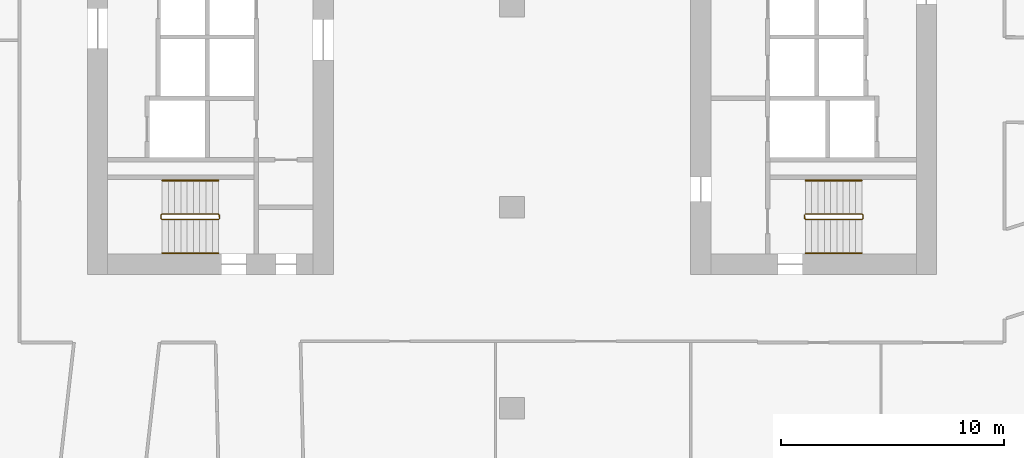
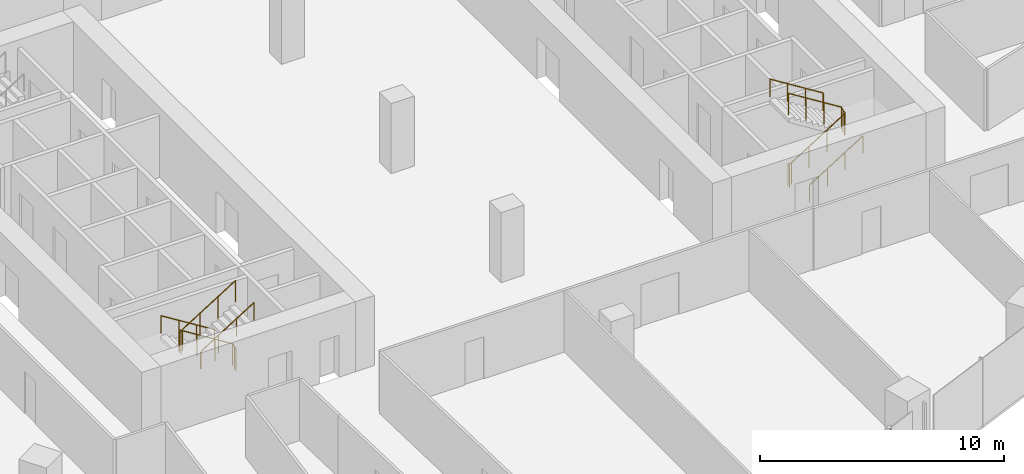
# One storey, part 32 of 34: 6 railings.
"""IFC4 building model written with IfcOpenShell, lengths in metres."""

from ifc_helpers import new_model, si_unit, direction, frame, origin, origin_2d, place, context, subcontext, project, spatial, circle, extrude, material, type_object, element, save


model = new_model("IFC4")

# Units and contexts
model_context = context("Model", 3, precision=1e-05, world=origin(), true_north=direction((0.0, 1.0)))
body_context = subcontext(model_context, "Body", "Model", "MODEL_VIEW")
ifc_project = project(units=[si_unit("LENGTHUNIT", "METRE"), si_unit("AREAUNIT", "SQUARE_METRE"), si_unit("VOLUMEUNIT", "CUBIC_METRE"), si_unit("PLANEANGLEUNIT", "RADIAN"), si_unit("MASSUNIT", "GRAM", prefix="KILO")], contexts=[model_context])

# Site, building, storey
site_placement = place(None, origin())
site = spatial("IfcSite", under=ifc_project, at=site_placement, CompositionType="ELEMENT")
building_placement = place(site_placement, origin())
building = spatial("IfcBuilding", under=site, at=building_placement, Name="Orlundy Tower", CompositionType="ELEMENT")
storey_placement = place(building_placement, frame((0.0, 0.0, 105.699951171875)))
storey = spatial("IfcBuildingStorey", under=building, at=storey_placement, Name="L26", CompositionType="ELEMENT", Elevation=105.699951171875)

# Railings
ifc_material_1 = material(Name="Steel balustrade", Category="steel")
railing_type_1 = type_object("IfcRailingType", Name="Stair Guard 1100", PredefinedType="GUARDRAIL", material=ifc_material_1)
railing_1_placement = place(storey_placement, frame((-13.090087890625, -9.35009765625, 0.0)))
element("IfcRailing", 1, at=railing_1_placement, inside=storey, type_object=railing_type_1, Name="L26 ST-W2 stair guard 1", PredefinedType="GUARDRAIL", context=body_context, shape_type="SweptSolid", body=[
    extrude(circle(Radius=0.02392578125, at=origin_2d()), frame((0.0, 0.0, 1.076171875), z_axis=(0.0, -1.0, 0.0), x_axis=(1.0, 0.0, 0.0)), (0.0, 0.0, 1.0), 0.14990234375),
    extrude(circle(Radius=0.02392578125, at=origin_2d()), frame((0.0, -0.14990234375, 1.076171875), z_axis=(-0.18420542264, 0.739530593833, 0.647427882513), x_axis=(-0.970351222016, -0.241699205484, 0.0)), (0.0, 0.0, 1.0), 0.270263671875),
    extrude(circle(Radius=0.02392578125, at=origin_2d()), frame((-0.0498046875, 0.050048828125, 1.2509765625), z_axis=(-0.848007534815, 0.0, 0.529984170421), x_axis=(0.0, -1.0, 0.0)), (0.0, 0.0, 1.0), 2.9716796875),
    extrude(circle(Radius=0.02392578125, at=origin_2d()), frame((-2.56982421875, 0.050048828125, 2.826171875), z_axis=(-0.707106781187, -0.707106781187, 0.0), x_axis=(0.707106781187, -0.707106781187, 0.0)), (0.0, 0.0, 1.0), 0.07080078125),
    extrude(circle(Radius=0.02392578125, at=origin_2d()), frame((-2.619873046875, 0.0, 2.826171875), z_axis=(0.0, -1.0, 0.0), x_axis=(1.0, 0.0, 0.0)), (0.0, 0.0, 1.0), 0.14990234375),
    extrude(circle(Radius=0.02392578125, at=origin_2d()), frame((-2.619873046875, -0.14990234375, 2.826171875), z_axis=(0.265065253269, -0.265065253269, 0.927081885822), x_axis=(0.707106781187, 0.707106781187, 0.0)), (0.0, 0.0, 1.0), 0.188720703125),
    extrude(circle(Radius=0.02392578125, at=origin_2d()), frame((-2.56982421875, -0.199951171875, 3.0009765625), z_axis=(0.848007534815, 0.0, 0.529984170421), x_axis=(0.0, 1.0, 0.0)), (0.0, 0.0, 1.0), 2.9716796875),
    extrude(circle(Radius=0.02099609375, at=origin_2d()), origin(), (0.0, 0.0, 1.0), 1.052001953125),
    extrude(circle(Radius=0.02099609375, at=origin_2d()), frame((0.0, -0.14990234375, 0.0)), (0.0, 0.0, 1.0), 1.052001953125),
    extrude(circle(Radius=0.02099609375, at=origin_2d()), frame((-0.0498046875, 0.050048828125, 0.175048828125)), (0.0, 0.0, 1.0), 1.052001953125),
    extrude(circle(Radius=0.02099609375, at=origin_2d()), frame((-0.889892578125, 0.050048828125, 0.699951171875)), (0.0, 0.0, 1.0), 1.052001953125),
    extrude(circle(Radius=0.02099609375, at=origin_2d()), frame((-1.729736328125, 0.050048828125, 1.22509765625)), (0.0, 0.0, 1.0), 1.052001953125),
    extrude(circle(Radius=0.02099609375, at=origin_2d()), frame((-2.56982421875, 0.050048828125, 1.75)), (0.0, 0.0, 1.0), 1.052001953125),
    extrude(circle(Radius=0.02099609375, at=origin_2d()), frame((-2.619873046875, 0.0, 1.75)), (0.0, 0.0, 1.0), 1.052001953125),
    extrude(circle(Radius=0.02099609375, at=origin_2d()), frame((-2.619873046875, -0.14990234375, 1.75)), (0.0, 0.0, 1.0), 1.052001953125),
    extrude(circle(Radius=0.02099609375, at=origin_2d()), frame((-2.56982421875, -0.199951171875, 1.925048828125)), (0.0, 0.0, 1.0), 1.052001953125),
    extrude(circle(Radius=0.02099609375, at=origin_2d()), frame((-1.729736328125, -0.199951171875, 2.449951171875)), (0.0, 0.0, 1.0), 1.052001953125),
    extrude(circle(Radius=0.02099609375, at=origin_2d()), frame((-0.889892578125, -0.199951171875, 2.97509765625)), (0.0, 0.0, 1.0), 1.052001953125),
    extrude(circle(Radius=0.02099609375, at=origin_2d()), frame((-0.0498046875, -0.199951171875, 3.5)), (0.0, 0.0, 1.0), 1.052001953125),
])
railing_2_placement = place(storey_placement, frame((13.090087890625, -9.5, 0.0)))
element("IfcRailing", 2, at=railing_2_placement, inside=storey, type_object=railing_type_1, Name="L26 ST-E1 stair guard 1", PredefinedType="GUARDRAIL", context=body_context, shape_type="SweptSolid", body=[
    extrude(circle(Radius=0.02392578125, at=origin_2d()), frame((0.0, 0.0, 1.076171875), z_axis=(0.0, 1.0, 0.0), x_axis=(-1.0, 0.0, 0.0)), (0.0, 0.0, 1.0), 0.14990234375),
    extrude(circle(Radius=0.02392578125, at=origin_2d()), frame((0.0, 0.14990234375, 1.076171875), z_axis=(0.18420542264, -0.739530593833, 0.647427882513), x_axis=(0.970351222016, 0.241699205484, 0.0)), (0.0, 0.0, 1.0), 0.270263671875),
    extrude(circle(Radius=0.02392578125, at=origin_2d()), frame((0.0498046875, -0.050048828125, 1.2509765625), z_axis=(0.848007534815, 0.0, 0.529984170421), x_axis=(0.0, 1.0, 0.0)), (0.0, 0.0, 1.0), 2.9716796875),
    extrude(circle(Radius=0.02392578125, at=origin_2d()), frame((2.56982421875, -0.050048828125, 2.826171875), z_axis=(0.707106781187, 0.707106781187, 0.0), x_axis=(-0.707106781187, 0.707106781187, 0.0)), (0.0, 0.0, 1.0), 0.07080078125),
    extrude(circle(Radius=0.02392578125, at=origin_2d()), frame((2.619873046875, 0.0, 2.826171875), z_axis=(0.0, 1.0, 0.0), x_axis=(-1.0, 0.0, 0.0)), (0.0, 0.0, 1.0), 0.14990234375),
    extrude(circle(Radius=0.02392578125, at=origin_2d()), frame((2.619873046875, 0.14990234375, 2.826171875), z_axis=(-0.265065253269, 0.265065253269, 0.927081885822), x_axis=(-0.707106781187, -0.707106781187, 0.0)), (0.0, 0.0, 1.0), 0.188720703125),
    extrude(circle(Radius=0.02392578125, at=origin_2d()), frame((2.56982421875, 0.199951171875, 3.0009765625), z_axis=(-0.848007534815, 0.0, 0.529984170421), x_axis=(0.0, -1.0, 0.0)), (0.0, 0.0, 1.0), 2.9716796875),
    extrude(circle(Radius=0.02099609375, at=origin_2d()), origin(), (0.0, 0.0, 1.0), 1.052001953125),
    extrude(circle(Radius=0.02099609375, at=origin_2d()), frame((0.0, 0.14990234375, 0.0)), (0.0, 0.0, 1.0), 1.052001953125),
    extrude(circle(Radius=0.02099609375, at=origin_2d()), frame((0.0498046875, -0.050048828125, 0.175048828125)), (0.0, 0.0, 1.0), 1.052001953125),
    extrude(circle(Radius=0.02099609375, at=origin_2d()), frame((0.889892578125, -0.050048828125, 0.699951171875)), (0.0, 0.0, 1.0), 1.052001953125),
    extrude(circle(Radius=0.02099609375, at=origin_2d()), frame((1.729736328125, -0.050048828125, 1.22509765625)), (0.0, 0.0, 1.0), 1.052001953125),
    extrude(circle(Radius=0.02099609375, at=origin_2d()), frame((2.56982421875, -0.050048828125, 1.75)), (0.0, 0.0, 1.0), 1.052001953125),
    extrude(circle(Radius=0.02099609375, at=origin_2d()), frame((2.619873046875, 0.0, 1.75)), (0.0, 0.0, 1.0), 1.052001953125),
    extrude(circle(Radius=0.02099609375, at=origin_2d()), frame((2.619873046875, 0.14990234375, 1.75)), (0.0, 0.0, 1.0), 1.052001953125),
    extrude(circle(Radius=0.02099609375, at=origin_2d()), frame((2.56982421875, 0.199951171875, 1.925048828125)), (0.0, 0.0, 1.0), 1.052001953125),
    extrude(circle(Radius=0.02099609375, at=origin_2d()), frame((1.729736328125, 0.199951171875, 2.449951171875)), (0.0, 0.0, 1.0), 1.052001953125),
    extrude(circle(Radius=0.02099609375, at=origin_2d()), frame((0.889892578125, 0.199951171875, 2.97509765625)), (0.0, 0.0, 1.0), 1.052001953125),
    extrude(circle(Radius=0.02099609375, at=origin_2d()), frame((0.0498046875, 0.199951171875, 3.5)), (0.0, 0.0, 1.0), 1.052001953125),
])
ifc_material_2 = material(Name="Steel handrail", Category="steel")
railing_type_2 = type_object("IfcRailingType", Name="Stair Handrail 900", PredefinedType="HANDRAIL", material=ifc_material_2)
railing_3_placement = place(storey_placement, frame((-13.139892578125, -7.800048828125, 0.175048828125)))
element("IfcRailing", 3, at=railing_3_placement, inside=storey, type_object=railing_type_2, Name="L26 ST-W2 stair handrail 1", PredefinedType="HANDRAIL", context=body_context, shape_type="SweptSolid", body=[
    extrude(circle(Radius=0.02392578125, at=origin_2d()), frame((0.0, 0.0, 0.8759765625), z_axis=(-0.848007534815, 0.0, 0.529984170421), x_axis=(0.0, -1.0, 0.0)), (0.0, 0.0, 1.0), 2.9716796875),
    extrude(circle(Radius=0.02099609375, at=origin_2d()), origin(), (0.0, 0.0, 1.0), 0.851806640625),
    extrude(circle(Radius=0.02099609375, at=origin_2d()), frame((-0.840087890625, 0.0, 0.52490234375)), (0.0, 0.0, 1.0), 0.851806640625),
    extrude(circle(Radius=0.02099609375, at=origin_2d()), frame((-1.679931640625, 0.0, 1.050048828125)), (0.0, 0.0, 1.0), 0.851806640625),
    extrude(circle(Radius=0.02099609375, at=origin_2d()), frame((-2.52001953125, 0.0, 1.574951171875)), (0.0, 0.0, 1.0), 0.851806640625),
])
for number, where, name in (
    (4, (-15.659912109375, -11.050048828125, 1.925048828125), "L26 ST-W2 stair handrail 2"),
    (5, (13.139892578125, -11.050048828125, 0.175048828125), "L26 ST-E1 stair handrail 1"),
):
    element("IfcRailing", number, at=place(storey_placement, frame(where)), inside=storey, type_object=railing_type_2, Name=name, PredefinedType="HANDRAIL", context=body_context, shape_type="SweptSolid", body=[
        extrude(circle(Radius=0.02392578125, at=origin_2d()), frame((0.0, 0.0, 0.8759765625), z_axis=(0.848007534815, 0.0, 0.529984170421), x_axis=(0.0, 1.0, 0.0)), (0.0, 0.0, 1.0), 2.9716796875),
        extrude(circle(Radius=0.02099609375, at=origin_2d()), origin(), (0.0, 0.0, 1.0), 0.851806640625),
        extrude(circle(Radius=0.02099609375, at=origin_2d()), frame((0.840087890625, 0.0, 0.52490234375)), (0.0, 0.0, 1.0), 0.851806640625),
        extrude(circle(Radius=0.02099609375, at=origin_2d()), frame((1.679931640625, 0.0, 1.050048828125)), (0.0, 0.0, 1.0), 0.851806640625),
        extrude(circle(Radius=0.02099609375, at=origin_2d()), frame((2.52001953125, 0.0, 1.574951171875)), (0.0, 0.0, 1.0), 0.851806640625),
    ])
railing_4_placement = place(storey_placement, frame((15.659912109375, -7.800048828125, 1.925048828125)))
element("IfcRailing", 6, at=railing_4_placement, inside=storey, type_object=railing_type_2, Name="L26 ST-E1 stair handrail 2", PredefinedType="HANDRAIL", context=body_context, shape_type="SweptSolid", body=[
    extrude(circle(Radius=0.02392578125, at=origin_2d()), frame((0.0, 0.0, 0.8759765625), z_axis=(-0.848007534815, 0.0, 0.529984170421), x_axis=(0.0, -1.0, 0.0)), (0.0, 0.0, 1.0), 2.9716796875),
    extrude(circle(Radius=0.02099609375, at=origin_2d()), origin(), (0.0, 0.0, 1.0), 0.851806640625),
    extrude(circle(Radius=0.02099609375, at=origin_2d()), frame((-0.840087890625, 0.0, 0.52490234375)), (0.0, 0.0, 1.0), 0.851806640625),
    extrude(circle(Radius=0.02099609375, at=origin_2d()), frame((-1.679931640625, 0.0, 1.050048828125)), (0.0, 0.0, 1.0), 0.851806640625),
    extrude(circle(Radius=0.02099609375, at=origin_2d()), frame((-2.52001953125, 0.0, 1.574951171875)), (0.0, 0.0, 1.0), 0.851806640625),
])

save(model, "model.ifc")
